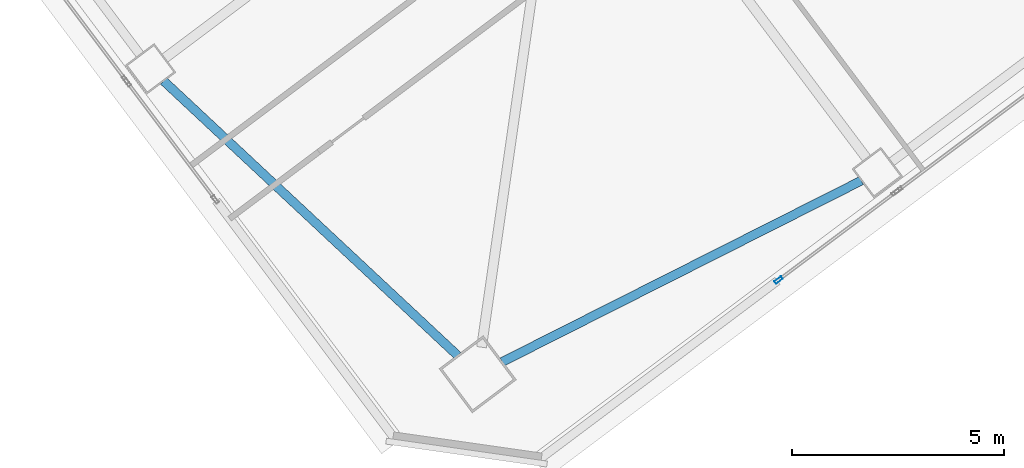
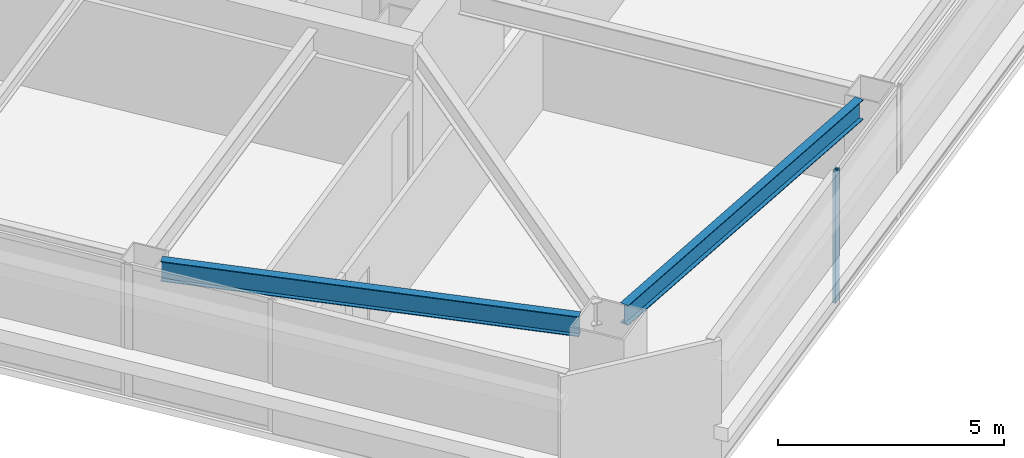
# One storey, part 18 of 41: 2 beams, 1 member, 1 element without a shape of its own.
"""IFC4 building model written with IfcOpenShell, lengths in metres."""

from ifc_helpers import new_model, si_unit, direction, frame, origin, origin_2d, place, context, subcontext, project, spatial, hollow_rectangle, i_section, extrude, material, material_profile, profile_set, type_object, element, aggregate, save


model = new_model("IFC4")

# Units and contexts
model_context = context("Model", 3, precision=1e-05, world=origin(), true_north=direction((0.0, 1.0)))
body_context = subcontext(model_context, "Body", "Model", "MODEL_VIEW")
ifc_project = project(units=[si_unit("LENGTHUNIT", "METRE"), si_unit("AREAUNIT", "SQUARE_METRE"), si_unit("VOLUMEUNIT", "CUBIC_METRE"), si_unit("PLANEANGLEUNIT", "RADIAN"), si_unit("MASSUNIT", "GRAM", prefix="KILO")], contexts=[model_context])

# Site, building, storey
site_placement = place(None, origin())
site = spatial("IfcSite", under=ifc_project, at=site_placement, CompositionType="ELEMENT")
building_placement = place(site_placement, origin())
building = spatial("IfcBuilding", under=site, at=building_placement, Name="Tashvorn Skyway Center", CompositionType="ELEMENT")
storey_placement = place(building_placement, frame((0.0, 0.0, 146.35009765625)))
storey = spatial("IfcBuildingStorey", under=building, at=storey_placement, Name="L39", CompositionType="ELEMENT", Elevation=146.35009765625)

# Beams
ifc_material_1 = material(Name="Steel ASTM A992 Grade 50", Category="steel")
ifc_material_profile_1 = material_profile(ifc_material_1, i_section(OverallWidth=0.2109375, OverallDepth=0.5390625, WebThickness=0.01171875, FlangeThickness=0.018798828125, at=origin_2d()), Name="W21X73")
ifc_profile_set_1 = profile_set([ifc_material_profile_1], Name="Steel ASTM A992 Grade 50")
beam_type = type_object("IfcBeamType", Name="BM-SPANDREL-W21X73", PredefinedType="SPANDREL", material=ifc_profile_set_1)
beam_1_placement = place(storey_placement, frame((111.415771484375, 10.170654296875, 3.100341796875), z_axis=(0.892719124217, 0.450613543136, 0.0), x_axis=(-0.450613543136, 0.892719124217, 0.0)))
element("IfcBeam", 1, at=beam_1_placement, inside=storey, type_object=beam_type, Name="Tower 2 L39 Spandrel Beam 01", PredefinedType="SPANDREL", context=body_context, shape_type="SweptSolid", body=[
    extrude(i_section(OverallWidth=0.2109375, OverallDepth=0.5390625, WebThickness=0.01171875, FlangeThickness=0.018798828125, at=origin_2d()), origin(), (0.0, 0.0, 1.0), 9.498291015625),
])
beam_2_placement = place(storey_placement, frame((103.427001953125, 16.80322265625, 3.100341796875), z_axis=(0.730843250868, -0.682545341102, 0.0), x_axis=(0.682545341102, 0.730843250868, 0.0)))
element("IfcBeam", 2, at=beam_2_placement, inside=storey, type_object=beam_type, Name="Tower 2 L39 Spandrel Beam 12", PredefinedType="SPANDREL", context=body_context, shape_type="SweptSolid", body=[
    extrude(i_section(OverallWidth=0.2109375, OverallDepth=0.5390625, WebThickness=0.01171875, FlangeThickness=0.018798828125, at=origin_2d()), origin(), (0.0, 0.0, 1.0), 9.498046875),
])

# Curtain wall, member
ifc_material_2 = material(Name="Thermally broken bronze-anodized aluminium 6063-T6", Category="aluminium")
curtain_wall_type = type_object("IfcCurtainWallType", Name="CW-CW-Z3", PredefinedType="NOTDEFINED", material=ifc_material_2)
curtain_wall_placement = place(storey_placement, origin())
curtain_wall = element("IfcCurtainWall", 3, at=curtain_wall_placement, inside=storey, type_object=curtain_wall_type, Name="Tower 2 L39 South Unitised Curtain Wall Glazing Group 3", PredefinedType="NOTDEFINED")
ifc_material_profile_2 = material_profile(ifc_material_2, hollow_rectangle(XDim=0.074951171875, YDim=0.199951171875, WallThickness=0.00439453125, at=origin_2d()), Name="ALU-MULL-75x200")
ifc_profile_set_2 = profile_set([ifc_material_profile_2], Name="Thermally broken bronze-anodized aluminium 6063-T6")
member_type = type_object("IfcMemberType", Name="CWM-CW-Z3", PredefinedType="MULLION", material=ifc_profile_set_2)
member_placement = place(storey_placement, frame((117.940185546875, 12.105224609375, 0.0), z_axis=(0.0, 0.0, 1.0), x_axis=(0.599995465948, -0.800003400519, 0.0)))
member = element("IfcMember", 4, at=member_placement, type_object=member_type, Name="CW-Z3 mullion 2", PredefinedType="MULLION", context=body_context, shape_type="SweptSolid", body=[
    extrude(hollow_rectangle(XDim=0.074951171875, YDim=0.199951171875, WallThickness=0.00439453125, at=origin_2d()), origin(), (0.0, 0.0, 1.0), 3.5498046875),
])
aggregate(curtain_wall, [member])

save(model, "model.ifc")
